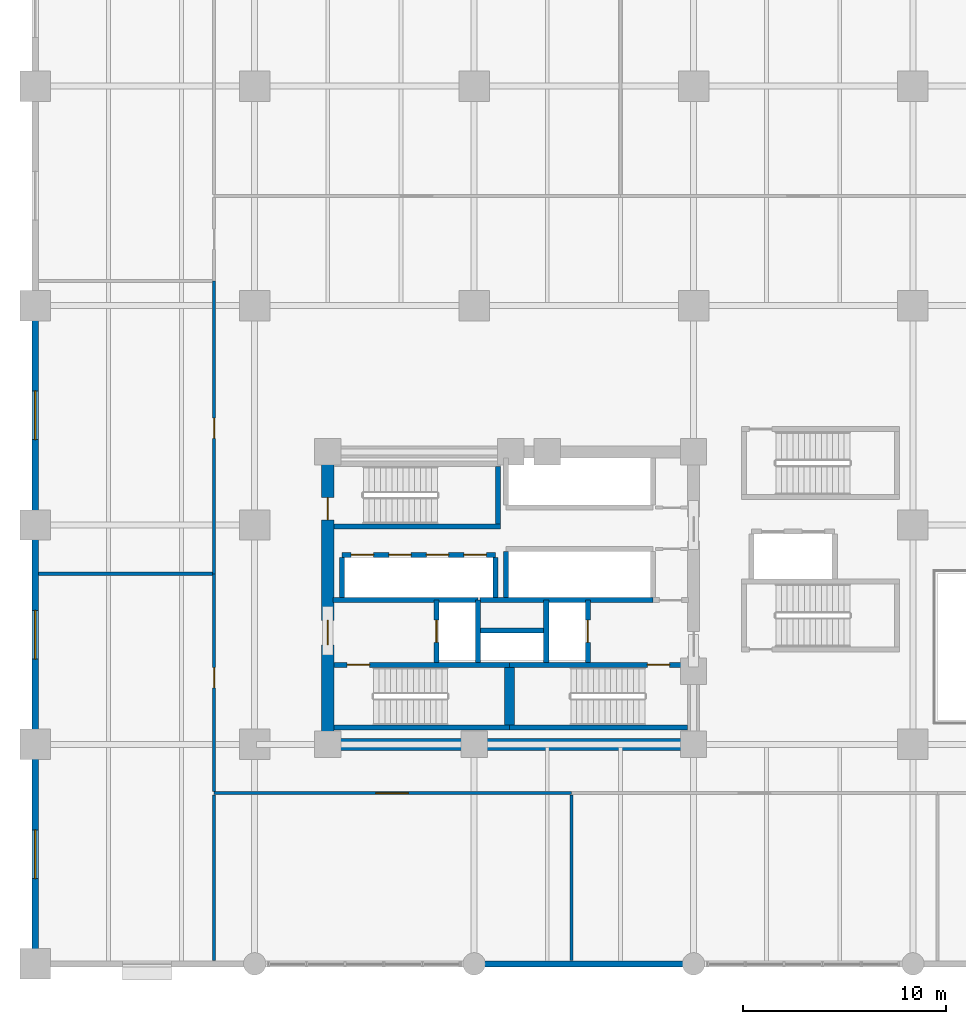
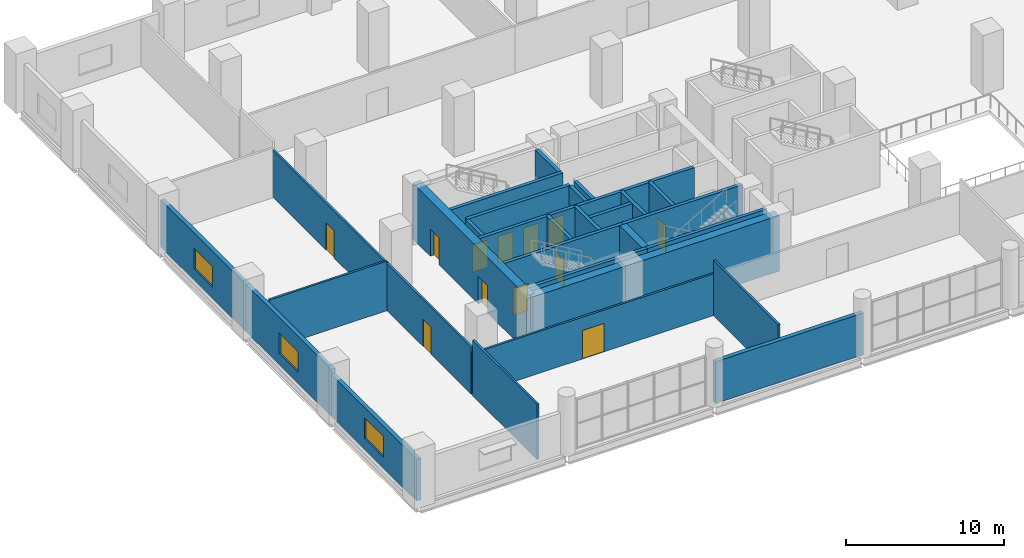
# One storey, part 10 of 16: 30 walls, 13 doors, 3 windows, 16 openings.
"""IFC4 building model written with IfcOpenShell, lengths in metres."""

from ifc_helpers import new_model, si_unit, direction, frame, frame_2d, origin, place, context, subcontext, project, spatial, rectangle, extrude, material, layer, layer_set, type_object, element, fill, save


model = new_model("IFC4")

# Units and contexts
model_context = context("Model", 3, precision=1e-05, world=origin(), true_north=direction((0.0, 1.0)))
body_context = subcontext(model_context, "Body", "Model", "MODEL_VIEW")
ifc_project = project(units=[si_unit("LENGTHUNIT", "METRE"), si_unit("AREAUNIT", "SQUARE_METRE"), si_unit("VOLUMEUNIT", "CUBIC_METRE"), si_unit("PLANEANGLEUNIT", "RADIAN"), si_unit("MASSUNIT", "GRAM", prefix="KILO")], contexts=[model_context])

# Site, building, storey
site_placement = place(None, origin())
site = spatial("IfcSite", under=ifc_project, at=site_placement, CompositionType="ELEMENT")
building_placement = place(site_placement, origin())
building = spatial("IfcBuilding", under=site, at=building_placement, Name="Solnavia Interchange Tower", CompositionType="ELEMENT")
storey_placement = place(building_placement, frame((0.0, 0.0, 10.199951171875)))
storey = spatial("IfcBuildingStorey", under=building, at=storey_placement, Name="L02", CompositionType="ELEMENT", Elevation=10.199951171875)

# Wall
ifc_material_1 = material(Name="Concrete C40/50", Category="concrete")
ifc_layer_1 = layer(ifc_material_1, 0.300048828125)
ifc_layer_set_1 = layer_set([ifc_layer_1], Name="Concrete C40/50")
wall_type_1 = type_object("IfcWallType", Name="Wall-ExtSpandrel-300", PredefinedType="STANDARD", material=ifc_layer_set_1)
wall_1_placement = place(storey_placement, frame((32.39990234375, 0.0, 0.0), z_axis=(0.0, 0.0, 1.0), x_axis=(-1.0, 0.0, 0.0)))
element("IfcWall", 1, at=wall_1_placement, inside=storey, type_object=wall_type_1, Name="EXW-L02-S03 South podium wall", PredefinedType="STANDARD", context=body_context, shape_type="SweptSolid", body=[
    extrude(rectangle(XDim=10.7998046875, YDim=0.300048828125, at=frame_2d((5.39990234375, 0.0))), origin(), (0.0, 0.0, 1.0), 3.22998046875),
])

# Wall, opening, window
wall_2_placement = place(storey_placement, frame((0.0, 0.0, 0.0), z_axis=(0.0, 0.0, 1.0), x_axis=(0.0, 1.0, 0.0)))
wall_2 = element("IfcWall", 2, at=wall_2_placement, inside=storey, type_object=wall_type_1, Name="EXW-L02-W01 West podium wall", PredefinedType="STANDARD", context=body_context, shape_type="SweptSolid", body=[
    extrude(rectangle(XDim=10.800048828125, YDim=0.300048828125, at=frame_2d((5.39990234375, 0.0))), origin(), (0.0, 0.0, 1.0), 3.22998046875),
])
opening_1_placement = place(wall_2_placement, frame((4.199951171875, 0.0, 0.85009765625)))
opening_1 = element("IfcOpeningElement", 3, at=opening_1_placement, cuts=wall_2, Name="Opening WIN-06", PredefinedType="OPENING", context=body_context, shape_type="SweptSolid", body=[
    extrude(rectangle(XDim=2.39990234375, YDim=1.60009765625, at=frame_2d((1.199951171875, 0.800048828125))), frame((0.0, 0.16015625, 0.0), z_axis=(0.0, -1.0, 0.0), x_axis=(1.0, 0.0, 0.0)), (0.0, 0.0, 1.0), 0.320068359375),
])
ifc_material_2 = material(Name="Thermal-Break Aluminium & Low-E Glass", Category="aluminium")
window_type = type_object("IfcWindowType", Name="Window-Podium-2400x1600", PartitioningType="SINGLE_PANEL", PredefinedType="WINDOW", material=ifc_material_2)
window_1_placement = place(opening_1_placement, origin())
window_1 = element("IfcWindow", 4, at=window_1_placement, inside=storey, type_object=window_type, Name="WIN-L02-W01 West podium window", OverallHeight=1.60009765625, OverallWidth=2.39990234375, PartitioningType="SINGLE_PANEL", PredefinedType="WINDOW", context=body_context, shape_type="SweptSolid", body=[
    extrude(rectangle(XDim=2.39990234375, YDim=1.60009765625, at=frame_2d((1.199951171875, 0.800048828125))), frame((0.0, 0.030029296875, 0.0), z_axis=(0.0, -1.0, 0.0), x_axis=(1.0, 0.0, 0.0)), (0.0, 0.0, 1.0), 0.06005859375),
])
fill(opening_1, window_1)

wall_3_placement = place(storey_placement, frame((0.0, 10.800048828125, 0.0), z_axis=(0.0, 0.0, 1.0), x_axis=(0.0, 1.0, 0.0)))
wall_3 = element("IfcWall", 5, at=wall_3_placement, inside=storey, type_object=wall_type_1, Name="EXW-L02-W02 West podium wall", PredefinedType="STANDARD", context=body_context, shape_type="SweptSolid", body=[
    extrude(rectangle(XDim=10.800048828125, YDim=0.300048828125, at=frame_2d((5.39990234375, 0.0))), origin(), (0.0, 0.0, 1.0), 3.630126953125),
])
opening_2_placement = place(wall_3_placement, frame((4.199951171875, 0.0, 0.85009765625)))
opening_2 = element("IfcOpeningElement", 6, at=opening_2_placement, cuts=wall_3, Name="Opening WIN-06", PredefinedType="OPENING", context=body_context, shape_type="SweptSolid", body=[
    extrude(rectangle(XDim=2.39990234375, YDim=1.60009765625, at=frame_2d((1.199951171875, 0.800048828125))), frame((0.0, 0.16015625, 0.0), z_axis=(0.0, -1.0, 0.0), x_axis=(1.0, 0.0, 0.0)), (0.0, 0.0, 1.0), 0.320068359375),
])
window_2_placement = place(opening_2_placement, origin())
window_2 = element("IfcWindow", 7, at=window_2_placement, inside=storey, type_object=window_type, Name="WIN-L02-W02 West podium window", OverallHeight=1.60009765625, OverallWidth=2.39990234375, PartitioningType="SINGLE_PANEL", PredefinedType="WINDOW", context=body_context, shape_type="SweptSolid", body=[
    extrude(rectangle(XDim=2.39990234375, YDim=1.60009765625, at=frame_2d((1.199951171875, 0.800048828125))), frame((0.0, 0.030029296875, 0.0), z_axis=(0.0, -1.0, 0.0), x_axis=(1.0, 0.0, 0.0)), (0.0, 0.0, 1.0), 0.06005859375),
])
fill(opening_2, window_2)

wall_4_placement = place(storey_placement, frame((0.0, 21.60009765625, 0.0), z_axis=(0.0, 0.0, 1.0), x_axis=(0.0, 1.0, 0.0)))
wall_4 = element("IfcWall", 8, at=wall_4_placement, inside=storey, type_object=wall_type_1, Name="EXW-L02-W03 West podium wall", PredefinedType="STANDARD", context=body_context, shape_type="SweptSolid", body=[
    extrude(rectangle(XDim=10.7998046875, YDim=0.300048828125, at=frame_2d((5.39990234375, 0.0))), origin(), (0.0, 0.0, 1.0), 3.630126953125),
])
opening_3_placement = place(wall_4_placement, frame((4.199951171875, 0.0, 0.85009765625)))
opening_3 = element("IfcOpeningElement", 9, at=opening_3_placement, cuts=wall_4, Name="Opening WIN-06", PredefinedType="OPENING", context=body_context, shape_type="SweptSolid", body=[
    extrude(rectangle(XDim=2.39990234375, YDim=1.60009765625, at=frame_2d((1.199951171875, 0.800048828125))), frame((0.0, 0.16015625, 0.0), z_axis=(0.0, -1.0, 0.0), x_axis=(1.0, 0.0, 0.0)), (0.0, 0.0, 1.0), 0.320068359375),
])
window_3_placement = place(opening_3_placement, origin())
window_3 = element("IfcWindow", 10, at=window_3_placement, inside=storey, type_object=window_type, Name="WIN-L02-W03 West podium window", OverallHeight=1.60009765625, OverallWidth=2.39990234375, PartitioningType="SINGLE_PANEL", PredefinedType="WINDOW", context=body_context, shape_type="SweptSolid", body=[
    extrude(rectangle(XDim=2.39990234375, YDim=1.60009765625, at=frame_2d((1.199951171875, 0.800048828125))), frame((0.0, 0.030029296875, 0.0), z_axis=(0.0, -1.0, 0.0), x_axis=(1.0, 0.0, 0.0)), (0.0, 0.0, 1.0), 0.06005859375),
])
fill(opening_3, window_3)

# Wall, opening, door
ifc_material_3 = material(Name="Gypsum Plasterboard & Steel Stud", Category="steel")
ifc_layer_2 = layer(ifc_material_3, 0.14990234375)
ifc_layer_set_2 = layer_set([ifc_layer_2], Name="Gypsum Plasterboard & Steel Stud")
wall_type_2 = type_object("IfcWallType", Name="Wall-Partition-150", PredefinedType="PARTITIONING", material=ifc_layer_set_2)
wall_5_placement = place(storey_placement, frame((8.800048828125, 8.39990234375, 0.0), z_axis=(0.0, 0.0, 1.0), x_axis=(1.0, 0.0, 0.0)))
wall_5 = element("IfcWall", 11, at=wall_5_placement, inside=storey, type_object=wall_type_2, Name="PTW-L02-01 Interior partition wall", PredefinedType="PARTITIONING", context=body_context, shape_type="SweptSolid", body=[
    extrude(rectangle(XDim=17.599853515625, YDim=0.14990234375, at=frame_2d((8.7998046875, 0.0))), origin(), (0.0, 0.0, 1.0), 3.22998046875),
])
opening_4_placement = place(wall_5_placement, frame((7.9599609375, 0.0, 0.0)))
opening_4 = element("IfcOpeningElement", 12, at=opening_4_placement, cuts=wall_5, Name="Opening DR-08", PredefinedType="OPENING", context=body_context, shape_type="SweptSolid", body=[
    extrude(rectangle(XDim=1.60009765625, YDim=2.199951171875, at=frame_2d((0.800048828125, 1.10009765625))), frame((0.0, 0.0849609375, 0.0), z_axis=(0.0, -1.0, 0.0), x_axis=(1.0, 0.0, 0.0)), (0.0, 0.0, 1.0), 0.169921875),
])
ifc_material_4 = material(Name="Thermally Broken Aluminium & Toughened Glass", Category="aluminium")
door_type_1 = type_object("IfcDoorType", Name="Door-RetailDouble-1600x2200", OperationType="DOUBLE_DOOR_SINGLE_SWING", PredefinedType="DOOR", material=ifc_material_4)
door_1_placement = place(opening_4_placement, origin())
door_1 = element("IfcDoor", 13, at=door_1_placement, inside=storey, type_object=door_type_1, Name="DR-L02-01 Interior room door", OperationType="DOUBLE_DOOR_SINGLE_SWING", OverallHeight=2.199951171875, OverallWidth=1.60009765625, PredefinedType="DOOR", context=body_context, shape_type="SweptSolid", body=[
    extrude(rectangle(XDim=1.60009765625, YDim=2.199951171875, at=frame_2d((0.800048828125, 1.10009765625))), frame((0.0, 0.02490234375, 0.0), z_axis=(0.0, -1.0, 0.0), x_axis=(1.0, 0.0, 0.0)), (0.0, 0.0, 1.0), 0.050048828125),
])
fill(opening_4, door_1)

# Walls
for number, where, z_axis, x_axis, name in (
    (14, (26.39990234375, 0.154052734375, 0.0), (0.0, 0.0, 1.0), (0.0, 1.0, 0.0), "PTW-L02-02 Interior partition wall"),
    (15, (8.800048828125, 0.154052734375, 0.0), (0.0, 0.0, 1.0), (0.0, 1.0, 0.0), "PTW-L02-11 Interior partition wall"),
):
    element("IfcWall", number, at=place(storey_placement, frame(where, z_axis=z_axis, x_axis=x_axis)), inside=storey, type_object=wall_type_2, Name=name, PredefinedType="PARTITIONING", context=body_context, shape_type="SweptSolid", body=[
        extrude(rectangle(XDim=8.1669921875, YDim=0.14990234375, at=frame_2d((4.08349609375, 0.0))), origin(), (0.0, 0.0, 1.0), 4.28515625),
    ])

# Wall, opening, door
wall_6_placement = place(storey_placement, frame((8.800048828125, 8.47900390625, 0.0), z_axis=(0.0, 0.0, 1.0), x_axis=(0.0, 1.0, 0.0)))
wall_6 = element("IfcWall", 16, at=wall_6_placement, inside=storey, type_object=wall_type_2, Name="PTW-L02-12 Interior partition wall", PredefinedType="PARTITIONING", context=body_context, shape_type="SweptSolid", body=[
    extrude(rectangle(XDim=10.720947265625, YDim=0.14990234375, at=frame_2d((5.3603515625, 0.0))), origin(), (0.0, 0.0, 1.0), 3.630126953125),
])
opening_5_placement = place(wall_6_placement, frame((5.10107421875, 0.0, 0.0)))
opening_5 = element("IfcOpeningElement", 17, at=opening_5_placement, cuts=wall_6, Name="Opening DR-07", PredefinedType="OPENING", context=body_context, shape_type="SweptSolid", body=[
    extrude(rectangle(XDim=1.0, YDim=2.10009765625, at=frame_2d((0.5, 1.050048828125))), frame((0.0, 0.0849609375, 0.0), z_axis=(0.0, -1.0, 0.0), x_axis=(1.0, 0.0, 0.0)), (0.0, 0.0, 1.0), 0.169921875),
])
ifc_material_5 = material(Name="Timber & Acoustic Glazed Office Door", Category="wood")
door_type_2 = type_object("IfcDoorType", Name="Door-Office-1000x2100", OperationType="SINGLE_SWING_RIGHT", PredefinedType="DOOR", material=ifc_material_5)
door_2_placement = place(opening_5_placement, origin())
door_2 = element("IfcDoor", 18, at=door_2_placement, inside=storey, type_object=door_type_2, Name="DR-L02-07 Interior room door", OperationType="SINGLE_SWING_RIGHT", OverallHeight=2.10009765625, OverallWidth=1.0, PredefinedType="DOOR", context=body_context, shape_type="SweptSolid", body=[
    extrude(rectangle(XDim=1.0, YDim=2.10009765625, at=frame_2d((0.5, 1.050048828125))), frame((0.0, 0.02490234375, 0.0), z_axis=(0.0, -1.0, 0.0), x_axis=(1.0, 0.0, 0.0)), (0.0, 0.0, 1.0), 0.050048828125),
])
fill(opening_5, door_2)

# Wall
wall_7_placement = place(storey_placement, frame((0.154052734375, 19.199951171875, 0.0), z_axis=(0.0, 0.0, 1.0), x_axis=(1.0, 0.0, 0.0)))
element("IfcWall", 19, at=wall_7_placement, inside=storey, type_object=wall_type_2, Name="PTW-L02-13 Interior partition wall", PredefinedType="PARTITIONING", context=body_context, shape_type="SweptSolid", body=[
    extrude(rectangle(XDim=8.56689453125, YDim=0.14990234375, at=frame_2d((4.283447265625, 0.0))), origin(), (0.0, 0.0, 1.0), 3.830078125),
])

# Wall, opening, door
wall_8_placement = place(storey_placement, frame((8.800048828125, 19.199951171875, 0.0), z_axis=(0.0, 0.0, 1.0), x_axis=(0.0, 1.0, 0.0)))
wall_8 = element("IfcWall", 20, at=wall_8_placement, inside=storey, type_object=wall_type_2, Name="PTW-L02-14 Interior partition wall", PredefinedType="PARTITIONING", context=body_context, shape_type="SweptSolid", body=[
    extrude(rectangle(XDim=14.400146484375, YDim=0.14990234375, at=frame_2d((7.2001953125, 0.0))), origin(), (0.0, 0.0, 1.0), 3.630126953125),
])
opening_6_placement = place(wall_8_placement, frame((6.659912109375, 0.0, 0.0)))
opening_6 = element("IfcOpeningElement", 21, at=opening_6_placement, cuts=wall_8, Name="Opening DR-07", PredefinedType="OPENING", context=body_context, shape_type="SweptSolid", body=[
    extrude(rectangle(XDim=1.0, YDim=2.10009765625, at=frame_2d((0.5, 1.050048828125))), frame((0.0, 0.0849609375, 0.0), z_axis=(0.0, -1.0, 0.0), x_axis=(1.0, 0.0, 0.0)), (0.0, 0.0, 1.0), 0.169921875),
])
door_3_placement = place(opening_6_placement, origin())
door_3 = element("IfcDoor", 22, at=door_3_placement, inside=storey, type_object=door_type_2, Name="DR-L02-08 Interior room door", OperationType="SINGLE_SWING_RIGHT", OverallHeight=2.10009765625, OverallWidth=1.0, PredefinedType="DOOR", context=body_context, shape_type="SweptSolid", body=[
    extrude(rectangle(XDim=1.0, YDim=2.10009765625, at=frame_2d((0.5, 1.050048828125))), frame((0.0, 0.02490234375, 0.0), z_axis=(0.0, -1.0, 0.0), x_axis=(1.0, 0.0, 0.0)), (0.0, 0.0, 1.0), 0.050048828125),
])
fill(opening_6, door_3)

# Wall
ifc_layer_3 = layer(ifc_material_1, 0.25)
ifc_layer_set_3 = layer_set([ifc_layer_3], Name="Concrete C40/50")
wall_type_3 = type_object("IfcWallType", Name="Wall-ShaftCore-250", PredefinedType="SHEAR", material=ifc_layer_set_3)
wall_9_placement = place(storey_placement, frame((14.699951171875, 11.625, 0.0), z_axis=(0.0, 0.0, 1.0), x_axis=(1.0, 0.0, 0.0)))
element("IfcWall", 23, at=wall_9_placement, inside=storey, type_object=wall_type_3, Name="SHW-L02-ST1S Core shear wall", PredefinedType="SHEAR", context=body_context, shape_type="SweptSolid", body=[
    extrude(rectangle(XDim=8.650146484375, YDim=0.25, at=frame_2d((4.3251953125, 0.0))), origin(), (0.0, 0.0, 1.0), 4.300048828125),
])

# Wall, opening, door
wall_10_placement = place(storey_placement, frame((14.699951171875, 14.715087890625, 0.0), z_axis=(0.0, 0.0, 1.0), x_axis=(1.0, 0.0, 0.0)))
wall_10 = element("IfcWall", 24, at=wall_10_placement, inside=storey, type_object=wall_type_3, Name="SHW-L02-ST1N Core shear wall", PredefinedType="SHEAR", context=body_context, shape_type="SweptSolid", body=[
    extrude(rectangle(XDim=8.650146484375, YDim=0.25, at=frame_2d((4.3251953125, 0.0))), origin(), (0.0, 0.0, 1.0), 4.300048828125),
])
opening_7_placement = place(wall_10_placement, frame((0.655029296875, 0.0, 0.0)))
opening_7 = element("IfcOpeningElement", 25, at=opening_7_placement, cuts=wall_10, Name="Opening DR-01", PredefinedType="OPENING", context=body_context, shape_type="SweptSolid", body=[
    extrude(rectangle(XDim=1.10009765625, YDim=2.10009765625, at=frame_2d((0.550048828125, 1.050048828125))), frame((0.0, 0.135009765625, 0.0), z_axis=(0.0, -1.0, 0.0), x_axis=(1.0, 0.0, 0.0)), (0.0, 0.0, 1.0), 0.27001953125),
])
ifc_material_6 = material(Name="Steel Fire-Rated Leaf & Frame", Category="steel")
door_type_3 = type_object("IfcDoorType", Name="Door-StairFire-1100x2100", OperationType="SINGLE_SWING_LEFT", PredefinedType="DOOR", material=ifc_material_6)
door_4_placement = place(opening_7_placement, origin())
door_4 = element("IfcDoor", 26, at=door_4_placement, inside=storey, type_object=door_type_3, Name="DR-L02-ST1 Core fire door", OperationType="SINGLE_SWING_LEFT", OverallHeight=2.10009765625, OverallWidth=1.10009765625, PredefinedType="DOOR", context=body_context, shape_type="SweptSolid", body=[
    extrude(rectangle(XDim=1.10009765625, YDim=2.10009765625, at=frame_2d((0.550048828125, 1.050048828125))), frame((0.0, 0.02490234375, 0.0), z_axis=(0.0, -1.0, 0.0), x_axis=(1.0, 0.0, 0.0)), (0.0, 0.0, 1.0), 0.050048828125),
])
fill(opening_7, door_4)

# Wall
wall_11_placement = place(storey_placement, frame((23.35009765625, 11.625, 0.0), z_axis=(0.0, 0.0, 1.0), x_axis=(1.0, 0.0, 0.0)))
element("IfcWall", 27, at=wall_11_placement, inside=storey, type_object=wall_type_3, Name="SHW-L02-ST2S Core shear wall", PredefinedType="SHEAR", context=body_context, shape_type="SweptSolid", body=[
    extrude(rectangle(XDim=8.75, YDim=0.25, at=frame_2d((4.375, 0.0))), origin(), (0.0, 0.0, 1.0), 4.300048828125),
])

# Wall, opening, door
wall_12_placement = place(storey_placement, frame((23.35009765625, 14.715087890625, 0.0), z_axis=(0.0, 0.0, 1.0), x_axis=(1.0, 0.0, 0.0)))
wall_12 = element("IfcWall", 28, at=wall_12_placement, inside=storey, type_object=wall_type_3, Name="SHW-L02-ST2N Core shear wall", PredefinedType="SHEAR", context=body_context, shape_type="SweptSolid", body=[
    extrude(rectangle(XDim=8.75, YDim=0.25, at=frame_2d((4.375, 0.0))), origin(), (0.0, 0.0, 1.0), 4.300048828125),
])
opening_8_placement = place(wall_12_placement, frame((6.77490234375, 0.0, 0.0)))
opening_8 = element("IfcOpeningElement", 29, at=opening_8_placement, cuts=wall_12, Name="Opening DR-01", PredefinedType="OPENING", context=body_context, shape_type="SweptSolid", body=[
    extrude(rectangle(XDim=1.10009765625, YDim=2.10009765625, at=frame_2d((0.550048828125, 1.050048828125))), frame((0.0, 0.135009765625, 0.0), z_axis=(0.0, -1.0, 0.0), x_axis=(1.0, 0.0, 0.0)), (0.0, 0.0, 1.0), 0.27001953125),
])
door_5_placement = place(opening_8_placement, origin())
door_5 = element("IfcDoor", 30, at=door_5_placement, inside=storey, type_object=door_type_3, Name="DR-L02-ST2 Core fire door", OperationType="SINGLE_SWING_LEFT", OverallHeight=2.10009765625, OverallWidth=1.10009765625, PredefinedType="DOOR", context=body_context, shape_type="SweptSolid", body=[
    extrude(rectangle(XDim=1.10009765625, YDim=2.10009765625, at=frame_2d((0.550048828125, 1.050048828125))), frame((0.0, 0.02490234375, 0.0), z_axis=(0.0, -1.0, 0.0), x_axis=(1.0, 0.0, 0.0)), (0.0, 0.0, 1.0), 0.050048828125),
])
fill(opening_8, door_5)

# Walls
wall_13_placement = place(storey_placement, frame((14.699951171875, 21.52490234375, 0.0), z_axis=(0.0, 0.0, 1.0), x_axis=(1.0, 0.0, 0.0)))
element("IfcWall", 31, at=wall_13_placement, inside=storey, type_object=wall_type_3, Name="SHW-L02-ST3S Core shear wall", PredefinedType="SHEAR", context=body_context, shape_type="SweptSolid", body=[
    extrude(rectangle(XDim=8.199951171875, YDim=0.25, at=frame_2d((4.10009765625, 0.0))), origin(), (0.0, 0.0, 1.0), 4.300048828125),
])
wall_14_placement = place(storey_placement, frame((22.77490234375, 21.64990234375, 0.0), z_axis=(0.0, 0.0, 1.0), x_axis=(0.0, 1.0, 0.0)))
element("IfcWall", 32, at=wall_14_placement, inside=storey, type_object=wall_type_3, Name="SHW-L02-ST3E Core shear wall", PredefinedType="SHEAR", context=body_context, shape_type="SweptSolid", body=[
    extrude(rectangle(XDim=2.840087890625, YDim=0.25, at=frame_2d((1.419921875, 0.0))), origin(), (0.0, 0.0, 1.0), 4.300048828125),
])
ifc_layer_4 = layer(ifc_material_1, 0.25)
ifc_layer_set_4 = layer_set([ifc_layer_4], Name="Concrete C40/50")
wall_type_4 = type_object("IfcWallType", Name="Wall-ShaftPart-250", PredefinedType="PARTITIONING", material=ifc_layer_set_4)
wall_15_placement = place(storey_placement, frame((14.64990234375, 17.89990234375, 0.0), z_axis=(0.0, 0.0, 1.0), x_axis=(1.0, 0.0, 0.0)))
element("IfcWall", 33, at=wall_15_placement, inside=storey, type_object=wall_type_4, Name="SHW-L02-FFLW-N Core shaft wall", PredefinedType="PARTITIONING", context=body_context, shape_type="SweptSolid", body=[
    extrude(rectangle(XDim=7.150146484375, YDim=0.25, at=frame_2d((3.5751953125, 0.0))), origin(), (0.0, 0.0, 1.0), 4.28515625),
])

# Wall, opening, door
wall_16_placement = place(storey_placement, frame((19.75, 14.840087890625, 0.0), z_axis=(0.0, 0.0, 1.0), x_axis=(0.0, 1.0, 0.0)))
wall_16 = element("IfcWall", 34, at=wall_16_placement, inside=storey, type_object=wall_type_4, Name="SHW-L02-FFL1-W Core shaft wall", PredefinedType="PARTITIONING", context=body_context, shape_type="SweptSolid", body=[
    extrude(rectangle(XDim=3.059814453125, YDim=0.25, at=frame_2d((1.52978515625, 0.0))), origin(), (0.0, 0.0, 1.0), 4.28515625),
])
opening_9_placement = place(wall_16_placement, frame((0.97998046875, 0.0, 0.0)))
opening_9 = element("IfcOpeningElement", 35, at=opening_9_placement, cuts=wall_16, Name="Opening LD-01", PredefinedType="OPENING", context=body_context, shape_type="SweptSolid", body=[
    extrude(rectangle(XDim=1.10009765625, YDim=2.10009765625, at=frame_2d((0.550048828125, 1.050048828125))), frame((0.0, 0.135009765625, 0.0), z_axis=(0.0, -1.0, 0.0), x_axis=(1.0, 0.0, 0.0)), (0.0, 0.0, 1.0), 0.27001953125),
])
ifc_material_7 = material(Name="Brushed Stainless Steel Sliding Door", Category="steel")
door_type_4 = type_object("IfcDoorType", Name="Door-LiftLanding-1100x2100", OperationType="SLIDING_TO_LEFT", PredefinedType="DOOR", material=ifc_material_7)
door_6_placement = place(opening_9_placement, origin())
door_6 = element("IfcDoor", 36, at=door_6_placement, inside=storey, type_object=door_type_4, Name="LD-L02-FFL1 Lift landing sliding door", OperationType="SLIDING_TO_LEFT", OverallHeight=2.10009765625, OverallWidth=1.10009765625, PredefinedType="DOOR", context=body_context, shape_type="SweptSolid", body=[
    extrude(rectangle(XDim=1.10009765625, YDim=2.10009765625, at=frame_2d((0.550048828125, 1.050048828125))), frame((0.0, 0.02490234375, 0.0), z_axis=(0.0, -1.0, 0.0), x_axis=(1.0, 0.0, 0.0)), (0.0, 0.0, 1.0), 0.050048828125),
])
fill(opening_9, door_6)

# Walls
wall_17_placement = place(storey_placement, frame((21.800048828125, 14.840087890625, 0.0), z_axis=(0.0, 0.0, 1.0), x_axis=(0.0, 1.0, 0.0)))
element("IfcWall", 37, at=wall_17_placement, inside=storey, type_object=wall_type_4, Name="SHW-L02-FFL1-E Core shaft wall", PredefinedType="PARTITIONING", context=body_context, shape_type="SweptSolid", body=[
    extrude(rectangle(XDim=3.059814453125, YDim=0.25, at=frame_2d((1.52978515625, 0.0))), origin(), (0.0, 0.0, 1.0), 4.28515625),
])
wall_18_placement = place(storey_placement, frame((21.8798828125, 17.89990234375, 0.0), z_axis=(0.0, 0.0, 1.0), x_axis=(1.0, 0.0, 0.0)))
element("IfcWall", 38, at=wall_18_placement, inside=storey, type_object=wall_type_4, Name="SHW-L02-FFLE-N1 Core shaft wall", PredefinedType="PARTITIONING", context=body_context, shape_type="SweptSolid", body=[
    extrude(rectangle(XDim=8.52001953125, YDim=0.25, at=frame_2d((4.260009765625, 0.0))), origin(), (0.0, 0.0, 1.0), 4.28515625),
])
wall_19_placement = place(storey_placement, frame((25.14990234375, 14.840087890625, 0.0), z_axis=(0.0, 0.0, 1.0), x_axis=(0.0, 1.0, 0.0)))
element("IfcWall", 39, at=wall_19_placement, inside=storey, type_object=wall_type_4, Name="SHW-L02-FFL2-W Core shaft wall", PredefinedType="PARTITIONING", context=body_context, shape_type="SweptSolid", body=[
    extrude(rectangle(XDim=3.059814453125, YDim=0.25, at=frame_2d((1.52978515625, 0.0))), origin(), (0.0, 0.0, 1.0), 4.28515625),
])

# Wall, opening, door
wall_20_placement = place(storey_placement, frame((27.199951171875, 14.840087890625, 0.0), z_axis=(0.0, 0.0, 1.0), x_axis=(0.0, 1.0, 0.0)))
wall_20 = element("IfcWall", 40, at=wall_20_placement, inside=storey, type_object=wall_type_4, Name="SHW-L02-FFL2-E Core shaft wall", PredefinedType="PARTITIONING", context=body_context, shape_type="SweptSolid", body=[
    extrude(rectangle(XDim=3.059814453125, YDim=0.25, at=frame_2d((1.52978515625, 0.0))), origin(), (0.0, 0.0, 1.0), 4.28515625),
])
opening_10_placement = place(wall_20_placement, frame((0.97998046875, 0.0, 0.0)))
opening_10 = element("IfcOpeningElement", 41, at=opening_10_placement, cuts=wall_20, Name="Opening LD-01", PredefinedType="OPENING", context=body_context, shape_type="SweptSolid", body=[
    extrude(rectangle(XDim=1.10009765625, YDim=2.10009765625, at=frame_2d((0.550048828125, 1.050048828125))), frame((0.0, 0.135009765625, 0.0), z_axis=(0.0, -1.0, 0.0), x_axis=(1.0, 0.0, 0.0)), (0.0, 0.0, 1.0), 0.27001953125),
])
door_7_placement = place(opening_10_placement, origin())
door_7 = element("IfcDoor", 42, at=door_7_placement, inside=storey, type_object=door_type_4, Name="LD-L02-FFL2 Lift landing sliding door", OperationType="SLIDING_TO_LEFT", OverallHeight=2.10009765625, OverallWidth=1.10009765625, PredefinedType="DOOR", context=body_context, shape_type="SweptSolid", body=[
    extrude(rectangle(XDim=1.10009765625, YDim=2.10009765625, at=frame_2d((0.550048828125, 1.050048828125))), frame((0.0, 0.02490234375, 0.0), z_axis=(0.0, -1.0, 0.0), x_axis=(1.0, 0.0, 0.0)), (0.0, 0.0, 1.0), 0.050048828125),
])
fill(opening_10, door_7)

# Wall
wall_21_placement = place(storey_placement, frame((21.800048828125, 16.39990234375, 0.0), z_axis=(0.0, 0.0, 1.0), x_axis=(1.0, 0.0, 0.0)))
element("IfcWall", 43, at=wall_21_placement, inside=storey, type_object=wall_type_4, Name="SHW-L02-MEP-N Core shaft wall", PredefinedType="PARTITIONING", context=body_context, shape_type="SweptSolid", body=[
    extrude(rectangle(XDim=3.349853515625, YDim=0.25, at=frame_2d((1.6748046875, 0.0))), origin(), (0.0, 0.0, 1.0), 4.28515625),
])

# Wall, openings, doors
wall_22_placement = place(storey_placement, frame((15.10009765625, 20.125, 0.0), z_axis=(0.0, 0.0, 1.0), x_axis=(1.0, 0.0, 0.0)))
wall_22 = element("IfcWall", 44, at=wall_22_placement, inside=storey, type_object=wall_type_4, Name="SHW-L02-B1N Core shaft wall", PredefinedType="PARTITIONING", context=body_context, shape_type="SweptSolid", body=[
    extrude(rectangle(XDim=7.5498046875, YDim=0.25, at=frame_2d((3.77490234375, 0.0))), origin(), (0.0, 0.0, 1.0), 4.28515625),
])
opening_11_placement = place(wall_22_placement, frame((0.449951171875, 0.0, 0.0)))
opening_11 = element("IfcOpeningElement", 45, at=opening_11_placement, cuts=wall_22, Name="Opening LD-01", PredefinedType="OPENING", context=body_context, shape_type="SweptSolid", body=[
    extrude(rectangle(XDim=1.10009765625, YDim=2.10009765625, at=frame_2d((0.550048828125, 1.050048828125))), frame((0.0, 0.135009765625, 0.0), z_axis=(0.0, -1.0, 0.0), x_axis=(1.0, 0.0, 0.0)), (0.0, 0.0, 1.0), 0.27001953125),
])
opening_12_placement = place(wall_22_placement, frame((2.300048828125, 0.0, 0.0)))
opening_12 = element("IfcOpeningElement", 46, at=opening_12_placement, cuts=wall_22, Name="Opening LD-01", PredefinedType="OPENING", context=body_context, shape_type="SweptSolid", body=[
    extrude(rectangle(XDim=1.10009765625, YDim=2.10009765625, at=frame_2d((0.550048828125, 1.050048828125))), frame((0.0, 0.135009765625, 0.0), z_axis=(0.0, -1.0, 0.0), x_axis=(1.0, 0.0, 0.0)), (0.0, 0.0, 1.0), 0.27001953125),
])
opening_13_placement = place(wall_22_placement, frame((4.14990234375, 0.0, 0.0)))
opening_13 = element("IfcOpeningElement", 47, at=opening_13_placement, cuts=wall_22, Name="Opening LD-01", PredefinedType="OPENING", context=body_context, shape_type="SweptSolid", body=[
    extrude(rectangle(XDim=1.10009765625, YDim=2.10009765625, at=frame_2d((0.550048828125, 1.050048828125))), frame((0.0, 0.135009765625, 0.0), z_axis=(0.0, -1.0, 0.0), x_axis=(1.0, 0.0, 0.0)), (0.0, 0.0, 1.0), 0.27001953125),
])
opening_14_placement = place(wall_22_placement, frame((6.0, 0.0, 0.0)))
opening_14 = element("IfcOpeningElement", 48, at=opening_14_placement, cuts=wall_22, Name="Opening LD-01", PredefinedType="OPENING", context=body_context, shape_type="SweptSolid", body=[
    extrude(rectangle(XDim=1.10009765625, YDim=2.10009765625, at=frame_2d((0.550048828125, 1.050048828125))), frame((0.0, 0.135009765625, 0.0), z_axis=(0.0, -1.0, 0.0), x_axis=(1.0, 0.0, 0.0)), (0.0, 0.0, 1.0), 0.27001953125),
])
door_8_placement = place(opening_11_placement, origin())
door_8 = element("IfcDoor", 49, at=door_8_placement, inside=storey, type_object=door_type_4, Name="LD-L02-B1-1 Lift landing sliding door", OperationType="SLIDING_TO_LEFT", OverallHeight=2.10009765625, OverallWidth=1.10009765625, PredefinedType="DOOR", context=body_context, shape_type="SweptSolid", body=[
    extrude(rectangle(XDim=1.10009765625, YDim=2.10009765625, at=frame_2d((0.550048828125, 1.050048828125))), frame((0.0, 0.02490234375, 0.0), z_axis=(0.0, -1.0, 0.0), x_axis=(1.0, 0.0, 0.0)), (0.0, 0.0, 1.0), 0.050048828125),
])
fill(opening_11, door_8)
door_9_placement = place(opening_12_placement, origin())
door_9 = element("IfcDoor", 50, at=door_9_placement, inside=storey, type_object=door_type_4, Name="LD-L02-B1-2 Lift landing sliding door", OperationType="SLIDING_TO_LEFT", OverallHeight=2.10009765625, OverallWidth=1.10009765625, PredefinedType="DOOR", context=body_context, shape_type="SweptSolid", body=[
    extrude(rectangle(XDim=1.10009765625, YDim=2.10009765625, at=frame_2d((0.550048828125, 1.050048828125))), frame((0.0, 0.02490234375, 0.0), z_axis=(0.0, -1.0, 0.0), x_axis=(1.0, 0.0, 0.0)), (0.0, 0.0, 1.0), 0.050048828125),
])
fill(opening_12, door_9)
door_10_placement = place(opening_13_placement, origin())
door_10 = element("IfcDoor", 51, at=door_10_placement, inside=storey, type_object=door_type_4, Name="LD-L02-B1-3 Lift landing sliding door", OperationType="SLIDING_TO_LEFT", OverallHeight=2.10009765625, OverallWidth=1.10009765625, PredefinedType="DOOR", context=body_context, shape_type="SweptSolid", body=[
    extrude(rectangle(XDim=1.10009765625, YDim=2.10009765625, at=frame_2d((0.550048828125, 1.050048828125))), frame((0.0, 0.02490234375, 0.0), z_axis=(0.0, -1.0, 0.0), x_axis=(1.0, 0.0, 0.0)), (0.0, 0.0, 1.0), 0.050048828125),
])
fill(opening_13, door_10)
door_11_placement = place(opening_14_placement, origin())
door_11 = element("IfcDoor", 52, at=door_11_placement, inside=storey, type_object=door_type_4, Name="LD-L02-B1-4 Lift landing sliding door", OperationType="SLIDING_TO_LEFT", OverallHeight=2.10009765625, OverallWidth=1.10009765625, PredefinedType="DOOR", context=body_context, shape_type="SweptSolid", body=[
    extrude(rectangle(XDim=1.10009765625, YDim=2.10009765625, at=frame_2d((0.550048828125, 1.050048828125))), frame((0.0, 0.02490234375, 0.0), z_axis=(0.0, -1.0, 0.0), x_axis=(1.0, 0.0, 0.0)), (0.0, 0.0, 1.0), 0.050048828125),
])
fill(opening_14, door_11)

# Walls
for number, where, z_axis, x_axis, name in (
    (53, (15.10009765625, 18.02490234375, 0.0), (0.0, 0.0, 1.0), (0.0, 1.0, 0.0), "SHW-L02-B1W Core shaft wall"),
    (54, (22.64990234375, 18.02490234375, 0.0), (0.0, 0.0, 1.0), (0.0, 1.0, 0.0), "SHW-L02-B1E Core shaft wall"),
):
    element("IfcWall", number, at=place(storey_placement, frame(where, z_axis=z_axis, x_axis=x_axis)), inside=storey, type_object=wall_type_4, Name=name, PredefinedType="PARTITIONING", context=body_context, shape_type="SweptSolid", body=[
        extrude(rectangle(XDim=1.97509765625, YDim=0.25, at=frame_2d((0.987548828125, 0.0))), origin(), (0.0, 0.0, 1.0), 4.28515625),
    ])
wall_23_placement = place(storey_placement, frame((23.179931640625, 18.02490234375, 0.0), z_axis=(0.0, 0.0, 1.0), x_axis=(0.0, 1.0, 0.0)))
element("IfcWall", 55, at=wall_23_placement, inside=storey, type_object=wall_type_4, Name="SHW-L02-B2W Core shaft wall", PredefinedType="PARTITIONING", context=body_context, shape_type="SweptSolid", body=[
    extrude(rectangle(XDim=2.27001953125, YDim=0.25, at=frame_2d((1.135009765625, 0.0))), origin(), (0.0, 0.0, 1.0), 4.28515625),
])
ifc_material_8 = material(Name="Concrete C60/75", Category="concrete")
ifc_layer_5 = layer(ifc_material_8, 0.5)
ifc_layer_set_5 = layer_set([ifc_layer_5], Name="Concrete C60/75")
wall_type_5 = type_object("IfcWallType", Name="Wall-ShearCore-500", PredefinedType="SHEAR", material=ifc_layer_set_5)
wall_24_placement = place(storey_placement, frame((23.35009765625, 11.75, 0.0), z_axis=(0.0, 0.0, 1.0), x_axis=(0.0, 1.0, 0.0)))
element("IfcWall", 56, at=wall_24_placement, inside=storey, type_object=wall_type_5, Name="SHW-L02-ST12M Core shear wall", PredefinedType="SHEAR", context=body_context, shape_type="SweptSolid", body=[
    extrude(rectangle(XDim=2.840087890625, YDim=0.5, at=frame_2d((1.419921875, 0.0))), origin(), (0.0, 0.0, 1.0), 4.300048828125),
])
ifc_layer_6 = layer(ifc_material_8, 0.60009765625)
ifc_layer_set_6 = layer_set([ifc_layer_6], Name="Concrete C60/75")
wall_type_6 = type_object("IfcWallType", Name="Wall-ShearCore-600", PredefinedType="SHEAR", material=ifc_layer_set_6)
wall_25_placement = place(storey_placement, frame((14.39990234375, 10.800048828125, 0.0), z_axis=(0.0, 0.0, 1.0), x_axis=(1.0, 0.0, 0.0)))
element("IfcWall", 57, at=wall_25_placement, inside=storey, type_object=wall_type_6, Name="CRW-L02-S Core shear wall", PredefinedType="SHEAR", context=body_context, shape_type="SweptSolid", body=[
    extrude(rectangle(XDim=18.0, YDim=0.60009765625, at=frame_2d((9.0, 0.0))), origin(), (0.0, 0.0, 1.0), 4.300048828125),
])

# Wall, openings, doors
wall_26_placement = place(storey_placement, frame((14.39990234375, 10.800048828125, 0.0), z_axis=(0.0, 0.0, 1.0), x_axis=(0.0, 1.0, 0.0)))
wall_26 = element("IfcWall", 58, at=wall_26_placement, inside=storey, type_object=wall_type_6, Name="CRW-L02-W Core shear wall", PredefinedType="SHEAR", context=body_context, shape_type="SweptSolid", body=[
    extrude(rectangle(XDim=14.39990234375, YDim=0.60009765625, at=frame_2d((7.199951171875, 0.0))), origin(), (0.0, 0.0, 1.0), 4.300048828125),
])
opening_15_placement = place(wall_26_placement, frame((11.050048828125, 0.0, 0.0)))
opening_15 = element("IfcOpeningElement", 59, at=opening_15_placement, cuts=wall_26, Name="Opening DR-01", PredefinedType="OPENING", context=body_context, shape_type="SweptSolid", body=[
    extrude(rectangle(XDim=1.10009765625, YDim=2.10009765625, at=frame_2d((0.550048828125, 1.050048828125))), frame((0.0, 0.31005859375, 0.0), z_axis=(0.0, -1.0, 0.0), x_axis=(1.0, 0.0, 0.0)), (0.0, 0.0, 1.0), 0.6201171875),
])
opening_16_placement = place(wall_26_placement, frame((4.89990234375, 0.0, 0.0)))
opening_16 = element("IfcOpeningElement", 60, at=opening_16_placement, cuts=wall_26, Name="Opening DR-02", PredefinedType="OPENING", context=body_context, shape_type="SweptSolid", body=[
    extrude(rectangle(XDim=1.199951171875, YDim=2.10009765625, at=frame_2d((0.60009765625, 1.050048828125))), frame((0.0, 0.31005859375, 0.0), z_axis=(0.0, -1.0, 0.0), x_axis=(1.0, 0.0, 0.0)), (0.0, 0.0, 1.0), 0.6201171875),
])
ifc_material_9 = material(Name="Steel Fire-Rated Vision-Panel Door", Category="steel")
door_type_5 = type_object("IfcDoorType", Name="Door-LobbyFire-1200x2100", OperationType="SINGLE_SWING_RIGHT", PredefinedType="DOOR", material=ifc_material_9)
door_12_placement = place(opening_16_placement, origin())
door_12 = element("IfcDoor", 61, at=door_12_placement, inside=storey, type_object=door_type_5, Name="DR-L02-FFL1W Core fire door", OperationType="SINGLE_SWING_RIGHT", OverallHeight=2.10009765625, OverallWidth=1.199951171875, PredefinedType="DOOR", context=body_context, shape_type="SweptSolid", body=[
    extrude(rectangle(XDim=1.199951171875, YDim=2.10009765625, at=frame_2d((0.60009765625, 1.050048828125))), frame((0.0, 0.02490234375, 0.0), z_axis=(0.0, -1.0, 0.0), x_axis=(1.0, 0.0, 0.0)), (0.0, 0.0, 1.0), 0.050048828125),
])
fill(opening_16, door_12)
door_13_placement = place(opening_15_placement, origin())
door_13 = element("IfcDoor", 62, at=door_13_placement, inside=storey, type_object=door_type_3, Name="DR-L02-ST3 Core fire door", OperationType="SINGLE_SWING_RIGHT", OverallHeight=2.10009765625, OverallWidth=1.10009765625, PredefinedType="DOOR", context=body_context, shape_type="SweptSolid", body=[
    extrude(rectangle(XDim=1.10009765625, YDim=2.10009765625, at=frame_2d((0.550048828125, 1.050048828125))), frame((0.0, 0.02490234375, 0.0), z_axis=(0.0, -1.0, 0.0), x_axis=(1.0, 0.0, 0.0)), (0.0, 0.0, 1.0), 0.050048828125),
])
fill(opening_15, door_13)

save(model, "model.ifc")
